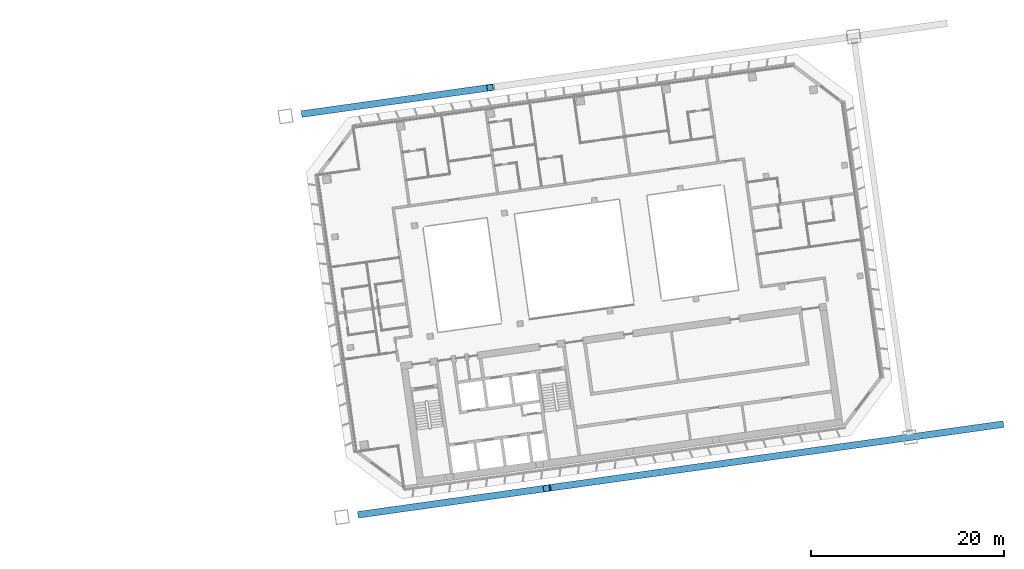
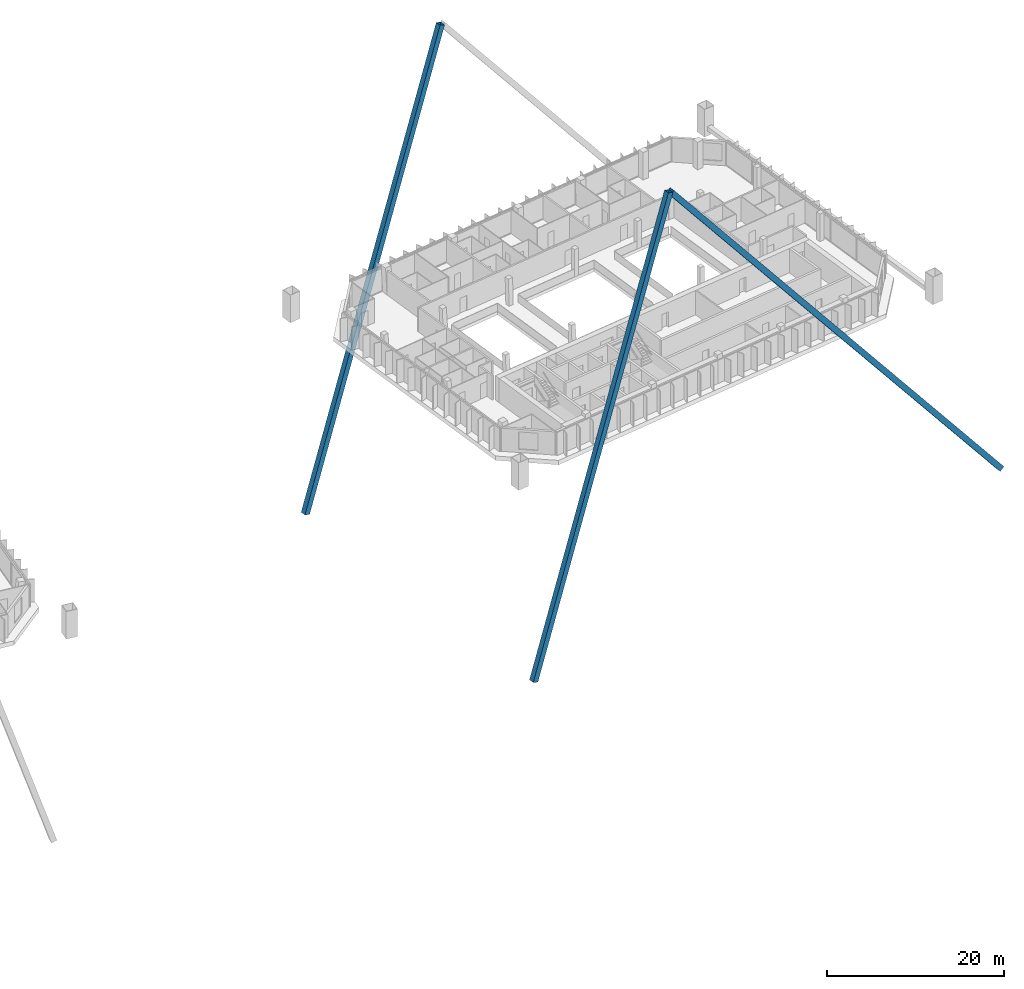
# One storey, part 15 of 38: 3 members.
"""IFC4 building model written with IfcOpenShell, lengths in metres."""

from ifc_helpers import new_model, si_unit, direction, frame, origin, origin_2d, place, context, subcontext, project, spatial, hollow_rectangle, extrude, material, material_profile, profile_set, type_object, element, save


model = new_model("IFC4")

# Units and contexts
model_context = context("Model", 3, precision=1e-05, world=origin(), true_north=direction((0.0, 1.0)))
body_context = subcontext(model_context, "Body", "Model", "MODEL_VIEW")
ifc_project = project(units=[si_unit("LENGTHUNIT", "METRE"), si_unit("AREAUNIT", "SQUARE_METRE"), si_unit("VOLUMEUNIT", "CUBIC_METRE"), si_unit("PLANEANGLEUNIT", "RADIAN"), si_unit("MASSUNIT", "GRAM", prefix="KILO")], contexts=[model_context])

# Site, building, storey
site_placement = place(None, origin())
site = spatial("IfcSite", under=ifc_project, at=site_placement, CompositionType="ELEMENT")
building_placement = place(site_placement, origin())
building = spatial("IfcBuilding", under=site, at=building_placement, Name="Mirante Cascada Hotel Towers", CompositionType="ELEMENT")
storey_placement = place(building_placement, frame((0.0, 0.0, 184.0)))
storey = spatial("IfcBuildingStorey", under=building, at=storey_placement, Name="L43", CompositionType="ELEMENT", Elevation=184.0)

# Members
ifc_material = material(Name="Steel ASTM A572 Gr 50", Category="steel")
ifc_material_profile = material_profile(ifc_material, hollow_rectangle(XDim=0.7, YDim=0.7, WallThickness=0.035, at=origin_2d()), Name="Box brace 700x700x35 ASTM A572 Gr 50")
ifc_profile_set = profile_set([ifc_material_profile], Name="Steel ASTM A572 Gr 50")
member_type = type_object("IfcMemberType", Name="Box brace 700x700x35 ASTM A572 Gr 50", PredefinedType="BRACE", material=ifc_profile_set)
for number, where, z_axis, x_axis, name in (
    (1, (25.5738, 18.5843, -27.8934), (0.3080803, 0.0432978, 0.9503746), (-0.1391729, 0.9902681, 0.0), "brace T2 L43 1"),
    (2, (31.419, -23.0069, -27.8934), (0.3080817, 0.0432978, 0.9503741), (-0.1391722, 0.9902682, 0.0), "brace T2 L43 3"),
):
    element("IfcMember", number, at=place(storey_placement, frame(where, z_axis=z_axis, x_axis=x_axis)), inside=storey, type_object=member_type, Name=name, PredefinedType="BRACE", context=body_context, shape_type="SweptSolid", body=[
        extrude(hollow_rectangle(XDim=0.7, YDim=0.7, WallThickness=0.035, at=origin_2d()), origin(), (0.0, 0.0, 1.0), 62.4328),
    ])
member_placement = place(storey_placement, frame((97.8199, -13.6749, -27.3045), z_axis=(-0.6228698, -0.0875389, 0.7774125), x_axis=(0.1391734, -0.990268, 0.0)))
element("IfcMember", 3, at=member_placement, inside=storey, type_object=member_type, Name="brace T2 L43 4", PredefinedType="BRACE", context=body_context, shape_type="SweptSolid", body=[
    extrude(hollow_rectangle(XDim=0.7, YDim=0.7, WallThickness=0.035, at=origin_2d()), origin(), (0.0, 0.0, 1.0), 75.4225),
])

save(model, "model.ifc")
